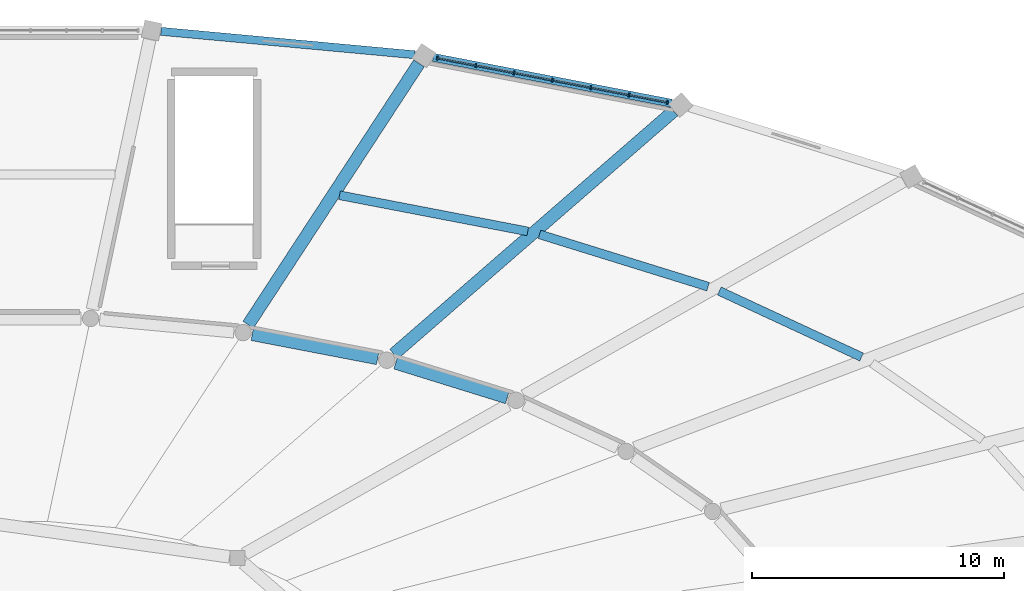
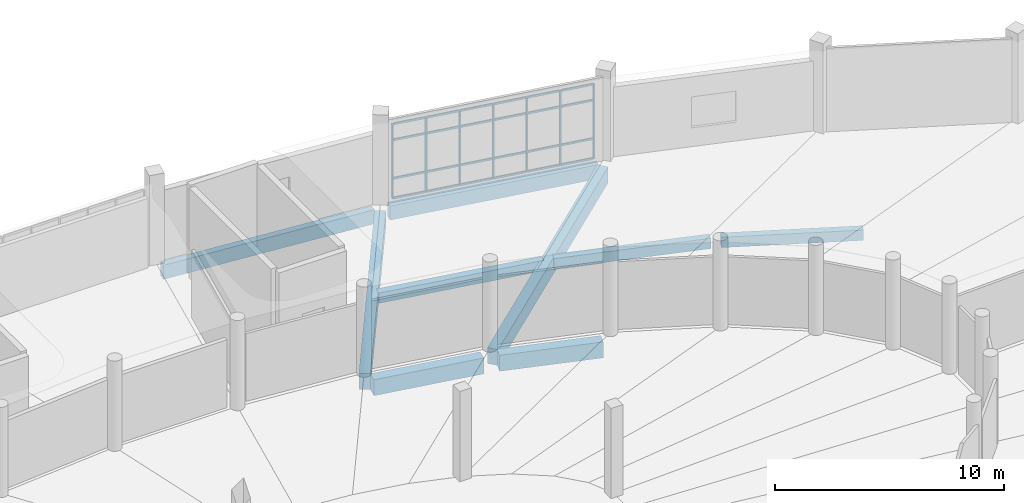
# One storey, part 82 of 179: 31 members, 9 beams, 1 element without a shape of its own.
"""IFC4 building model written with IfcOpenShell, lengths in metres."""

from ifc_helpers import new_model, si_unit, direction, frame, origin, origin_2d, place, context, subcontext, project, spatial, rectangle, extrude, material, layer, layer_set, material_profile, profile_set, type_object, element, aggregate, save


model = new_model("IFC4")

# Units and contexts
model_context = context("Model", 3, precision=1e-05, world=origin(), true_north=direction((0.0, 1.0)))
body_context = subcontext(model_context, "Body", "Model", "MODEL_VIEW")
ifc_project = project(units=[si_unit("LENGTHUNIT", "METRE"), si_unit("AREAUNIT", "SQUARE_METRE"), si_unit("VOLUMEUNIT", "CUBIC_METRE"), si_unit("PLANEANGLEUNIT", "RADIAN"), si_unit("MASSUNIT", "GRAM", prefix="KILO")], contexts=[model_context])

# Site, building, storey
site_placement = place(None, origin())
site = spatial("IfcSite", under=ifc_project, at=site_placement, CompositionType="ELEMENT")
building_placement = place(site_placement, origin())
building = spatial("IfcBuilding", under=site, at=building_placement, Name="Corvandel Quay Wholesale Market", CompositionType="ELEMENT")
storey_placement = place(building_placement, frame((0.0, 0.0, 6.0)))
storey = spatial("IfcBuildingStorey", under=building, at=storey_placement, Name="L01", CompositionType="ELEMENT", Elevation=6.0)

# Curtain wall, members
ifc_material_1 = material(Name="Bronze anodised aluminium and low-E insulated glazing", Category="aluminium")
ifc_layer = layer(ifc_material_1, 0.174072265625)
ifc_layer_set = layer_set([ifc_layer], Name="Bronze anodised aluminium and low-E insulated glazing")
curtain_wall_type = type_object("IfcCurtainWallType", Name="Stick Curtain Wall System CW12 H4080", PredefinedType="NOTDEFINED", material=ifc_layer_set)
curtain_wall_placement = place(storey_placement, origin())
curtain_wall = element("IfcCurtainWall", 1, at=curtain_wall_placement, inside=storey, type_object=curtain_wall_type, Name="Curtain Wall CW-0095", PredefinedType="NOTDEFINED")
ifc_material_2 = material(Name="Anodised aluminium 6063-T6", Category="aluminium")
ifc_material_profile_1 = material_profile(ifc_material_2, rectangle(XDim=0.06494140625, YDim=0.14990234375, at=origin_2d()), Name="ALU-MUL-65x150")
ifc_profile_set_1 = profile_set([ifc_material_profile_1], Name="Anodised aluminium 6063-T6")
member_type_1 = type_object("IfcMemberType", Name="Curtain Wall Mullion ML02 65x150", PredefinedType="MULLION", material=ifc_profile_set_1)
member_1_placement = place(storey_placement, frame((139.99560546875, 139.14306640625, 0.0), z_axis=(0.0, 0.0, 1.0), x_axis=(-0.981991701121, 0.188924055984, 0.0)))
member_1 = element("IfcMember", 2, at=member_1_placement, type_object=member_type_1, Name="Mullion CW-0095-M00", PredefinedType="MULLION", context=body_context, shape_type="SweptSolid", body=[
    extrude(rectangle(XDim=0.06494140625, YDim=0.14990234375, at=origin_2d()), origin(), (0.0, 0.0, 1.0), 3.949951171875),
])
member_2_placement = place(storey_placement, frame((138.47412109375, 139.435791015625, 0.0), z_axis=(0.0, 0.0, 1.0), x_axis=(-0.981991701121, 0.188924055984, 0.0)))
member_2 = element("IfcMember", 3, at=member_2_placement, type_object=member_type_1, Name="Mullion CW-0095-M01", PredefinedType="MULLION", context=body_context, shape_type="SweptSolid", body=[
    extrude(rectangle(XDim=0.06494140625, YDim=0.14990234375, at=origin_2d()), origin(), (0.0, 0.0, 1.0), 3.949951171875),
])
member_3_placement = place(storey_placement, frame((136.9521484375, 139.728271484375, 0.0), z_axis=(0.0, 0.0, 1.0), x_axis=(-0.981991701121, 0.188924055984, 0.0)))
member_3 = element("IfcMember", 4, at=member_3_placement, type_object=member_type_1, Name="Mullion CW-0095-M02", PredefinedType="MULLION", context=body_context, shape_type="SweptSolid", body=[
    extrude(rectangle(XDim=0.06494140625, YDim=0.14990234375, at=origin_2d()), origin(), (0.0, 0.0, 1.0), 3.949951171875),
])
member_4_placement = place(storey_placement, frame((135.430419921875, 140.02099609375, 0.0), z_axis=(0.0, 0.0, 1.0), x_axis=(-0.981991701121, 0.188924055984, 0.0)))
member_4 = element("IfcMember", 5, at=member_4_placement, type_object=member_type_1, Name="Mullion CW-0095-M03", PredefinedType="MULLION", context=body_context, shape_type="SweptSolid", body=[
    extrude(rectangle(XDim=0.06494140625, YDim=0.14990234375, at=origin_2d()), origin(), (0.0, 0.0, 1.0), 3.949951171875),
])
member_5_placement = place(storey_placement, frame((133.90869140625, 140.313720703125, 0.0), z_axis=(0.0, 0.0, 1.0), x_axis=(-0.981991701121, 0.188924055984, 0.0)))
member_5 = element("IfcMember", 6, at=member_5_placement, type_object=member_type_1, Name="Mullion CW-0095-M04", PredefinedType="MULLION", context=body_context, shape_type="SweptSolid", body=[
    extrude(rectangle(XDim=0.06494140625, YDim=0.14990234375, at=origin_2d()), origin(), (0.0, 0.0, 1.0), 3.949951171875),
])
member_6_placement = place(storey_placement, frame((132.386962890625, 140.606201171875, 0.0), z_axis=(0.0, 0.0, 1.0), x_axis=(-0.981991701121, 0.188924055984, 0.0)))
member_6 = element("IfcMember", 7, at=member_6_placement, type_object=member_type_1, Name="Mullion CW-0095-M05", PredefinedType="MULLION", context=body_context, shape_type="SweptSolid", body=[
    extrude(rectangle(XDim=0.06494140625, YDim=0.14990234375, at=origin_2d()), origin(), (0.0, 0.0, 1.0), 3.949951171875),
])
member_7_placement = place(storey_placement, frame((130.865234375, 140.89892578125, 0.0), z_axis=(0.0, 0.0, 1.0), x_axis=(-0.981991701121, 0.188924055984, 0.0)))
member_7 = element("IfcMember", 8, at=member_7_placement, type_object=member_type_1, Name="Mullion CW-0095-M06", PredefinedType="MULLION", context=body_context, shape_type="SweptSolid", body=[
    extrude(rectangle(XDim=0.06494140625, YDim=0.14990234375, at=origin_2d()), origin(), (0.0, 0.0, 1.0), 3.949951171875),
])
ifc_material_profile_2 = material_profile(ifc_material_2, rectangle(XDim=0.06005859375, YDim=0.110107421875, at=origin_2d()), Name="ALU-TRN-60x110")
ifc_profile_set_2 = profile_set([ifc_material_profile_2], Name="Anodised aluminium 6063-T6")
member_type_2 = type_object("IfcMemberType", Name="Curtain Wall Transom TR02 60x110", PredefinedType="USERDEFINED", material=ifc_profile_set_2)
member_8_placement = place(storey_placement, frame((139.9638671875, 139.149169921875, 0.0), z_axis=(-0.982020518786, 0.188774205554, 0.0), x_axis=(-0.188774205554, -0.982020518786, 0.0)))
member_8 = element("IfcMember", 9, at=member_8_placement, type_object=member_type_2, Name="Transom CW-0095-T00-0", ObjectType="TRANSOM", PredefinedType="USERDEFINED", context=body_context, shape_type="SweptSolid", body=[
    extrude(rectangle(XDim=0.06005859375, YDim=0.110107421875, at=origin_2d()), origin(), (0.0, 0.0, 1.0), 1.484619140625),
])
member_9_placement = place(storey_placement, frame((139.9638671875, 139.149169921875, 1.050048828125), z_axis=(-0.982020518786, 0.188774205554, 0.0), x_axis=(-0.188774205554, -0.982020518786, 0.0)))
member_9 = element("IfcMember", 10, at=member_9_placement, type_object=member_type_2, Name="Transom CW-0095-T00-1", ObjectType="TRANSOM", PredefinedType="USERDEFINED", context=body_context, shape_type="SweptSolid", body=[
    extrude(rectangle(XDim=0.06005859375, YDim=0.110107421875, at=origin_2d()), origin(), (0.0, 0.0, 1.0), 1.484619140625),
])
member_10_placement = place(storey_placement, frame((139.9638671875, 139.149169921875, 3.10009765625), z_axis=(-0.982020518786, 0.188774205554, 0.0), x_axis=(-0.188774205554, -0.982020518786, 0.0)))
member_10 = element("IfcMember", 11, at=member_10_placement, type_object=member_type_2, Name="Transom CW-0095-T00-2", ObjectType="TRANSOM", PredefinedType="USERDEFINED", context=body_context, shape_type="SweptSolid", body=[
    extrude(rectangle(XDim=0.06005859375, YDim=0.110107421875, at=origin_2d()), origin(), (0.0, 0.0, 1.0), 1.484619140625),
])
member_11_placement = place(storey_placement, frame((139.9638671875, 139.149169921875, 3.949951171875), z_axis=(-0.982020518786, 0.188774205554, 0.0), x_axis=(-0.188774205554, -0.982020518786, 0.0)))
member_11 = element("IfcMember", 12, at=member_11_placement, type_object=member_type_2, Name="Transom CW-0095-T00-3", ObjectType="TRANSOM", PredefinedType="USERDEFINED", context=body_context, shape_type="SweptSolid", body=[
    extrude(rectangle(XDim=0.06005859375, YDim=0.110107421875, at=origin_2d()), origin(), (0.0, 0.0, 1.0), 1.484619140625),
])
member_12_placement = place(storey_placement, frame((138.442138671875, 139.44189453125, 0.0), z_axis=(-0.982020518786, 0.188774205554, 0.0), x_axis=(-0.188774205554, -0.982020518786, 0.0)))
member_12 = element("IfcMember", 13, at=member_12_placement, type_object=member_type_2, Name="Transom CW-0095-T01-0", ObjectType="TRANSOM", PredefinedType="USERDEFINED", context=body_context, shape_type="SweptSolid", body=[
    extrude(rectangle(XDim=0.06005859375, YDim=0.110107421875, at=origin_2d()), origin(), (0.0, 0.0, 1.0), 1.484619140625),
])
member_13_placement = place(storey_placement, frame((138.442138671875, 139.44189453125, 1.050048828125), z_axis=(-0.982020518786, 0.188774205554, 0.0), x_axis=(-0.188774205554, -0.982020518786, 0.0)))
member_13 = element("IfcMember", 14, at=member_13_placement, type_object=member_type_2, Name="Transom CW-0095-T01-1", ObjectType="TRANSOM", PredefinedType="USERDEFINED", context=body_context, shape_type="SweptSolid", body=[
    extrude(rectangle(XDim=0.06005859375, YDim=0.110107421875, at=origin_2d()), origin(), (0.0, 0.0, 1.0), 1.484619140625),
])
member_14_placement = place(storey_placement, frame((138.442138671875, 139.44189453125, 3.10009765625), z_axis=(-0.982020518786, 0.188774205554, 0.0), x_axis=(-0.188774205554, -0.982020518786, 0.0)))
member_14 = element("IfcMember", 15, at=member_14_placement, type_object=member_type_2, Name="Transom CW-0095-T01-2", ObjectType="TRANSOM", PredefinedType="USERDEFINED", context=body_context, shape_type="SweptSolid", body=[
    extrude(rectangle(XDim=0.06005859375, YDim=0.110107421875, at=origin_2d()), origin(), (0.0, 0.0, 1.0), 1.484619140625),
])
member_15_placement = place(storey_placement, frame((138.442138671875, 139.44189453125, 3.949951171875), z_axis=(-0.982020518786, 0.188774205554, 0.0), x_axis=(-0.188774205554, -0.982020518786, 0.0)))
member_15 = element("IfcMember", 16, at=member_15_placement, type_object=member_type_2, Name="Transom CW-0095-T01-3", ObjectType="TRANSOM", PredefinedType="USERDEFINED", context=body_context, shape_type="SweptSolid", body=[
    extrude(rectangle(XDim=0.06005859375, YDim=0.110107421875, at=origin_2d()), origin(), (0.0, 0.0, 1.0), 1.484619140625),
])
member_16_placement = place(storey_placement, frame((136.92041015625, 139.734619140625, 0.0), z_axis=(-0.982020518786, 0.188774205554, 0.0), x_axis=(-0.188774205554, -0.982020518786, 0.0)))
member_16 = element("IfcMember", 17, at=member_16_placement, type_object=member_type_2, Name="Transom CW-0095-T02-0", ObjectType="TRANSOM", PredefinedType="USERDEFINED", context=body_context, shape_type="SweptSolid", body=[
    extrude(rectangle(XDim=0.06005859375, YDim=0.110107421875, at=origin_2d()), origin(), (0.0, 0.0, 1.0), 1.484619140625),
])
member_17_placement = place(storey_placement, frame((136.92041015625, 139.734619140625, 1.050048828125), z_axis=(-0.982020518786, 0.188774205554, 0.0), x_axis=(-0.188774205554, -0.982020518786, 0.0)))
member_17 = element("IfcMember", 18, at=member_17_placement, type_object=member_type_2, Name="Transom CW-0095-T02-1", ObjectType="TRANSOM", PredefinedType="USERDEFINED", context=body_context, shape_type="SweptSolid", body=[
    extrude(rectangle(XDim=0.06005859375, YDim=0.110107421875, at=origin_2d()), origin(), (0.0, 0.0, 1.0), 1.484619140625),
])
member_18_placement = place(storey_placement, frame((136.92041015625, 139.734619140625, 3.10009765625), z_axis=(-0.982020518786, 0.188774205554, 0.0), x_axis=(-0.188774205554, -0.982020518786, 0.0)))
member_18 = element("IfcMember", 19, at=member_18_placement, type_object=member_type_2, Name="Transom CW-0095-T02-2", ObjectType="TRANSOM", PredefinedType="USERDEFINED", context=body_context, shape_type="SweptSolid", body=[
    extrude(rectangle(XDim=0.06005859375, YDim=0.110107421875, at=origin_2d()), origin(), (0.0, 0.0, 1.0), 1.484619140625),
])
member_19_placement = place(storey_placement, frame((136.92041015625, 139.734619140625, 3.949951171875), z_axis=(-0.982020518786, 0.188774205554, 0.0), x_axis=(-0.188774205554, -0.982020518786, 0.0)))
member_19 = element("IfcMember", 20, at=member_19_placement, type_object=member_type_2, Name="Transom CW-0095-T02-3", ObjectType="TRANSOM", PredefinedType="USERDEFINED", context=body_context, shape_type="SweptSolid", body=[
    extrude(rectangle(XDim=0.06005859375, YDim=0.110107421875, at=origin_2d()), origin(), (0.0, 0.0, 1.0), 1.484619140625),
])
member_20_placement = place(storey_placement, frame((135.398681640625, 140.027099609375, 0.0), z_axis=(-0.98199002349, 0.188932775785, 0.0), x_axis=(-0.188932775785, -0.98199002349, 0.0)))
member_20 = element("IfcMember", 21, at=member_20_placement, type_object=member_type_2, Name="Transom CW-0095-T03-0", ObjectType="TRANSOM", PredefinedType="USERDEFINED", context=body_context, shape_type="SweptSolid", body=[
    extrude(rectangle(XDim=0.06005859375, YDim=0.110107421875, at=origin_2d()), origin(), (0.0, 0.0, 1.0), 1.48486328125),
])
member_21_placement = place(storey_placement, frame((135.398681640625, 140.027099609375, 1.050048828125), z_axis=(-0.98199002349, 0.188932775785, 0.0), x_axis=(-0.188932775785, -0.98199002349, 0.0)))
member_21 = element("IfcMember", 22, at=member_21_placement, type_object=member_type_2, Name="Transom CW-0095-T03-1", ObjectType="TRANSOM", PredefinedType="USERDEFINED", context=body_context, shape_type="SweptSolid", body=[
    extrude(rectangle(XDim=0.06005859375, YDim=0.110107421875, at=origin_2d()), origin(), (0.0, 0.0, 1.0), 1.48486328125),
])
member_22_placement = place(storey_placement, frame((135.398681640625, 140.027099609375, 3.10009765625), z_axis=(-0.98199002349, 0.188932775785, 0.0), x_axis=(-0.188932775785, -0.98199002349, 0.0)))
member_22 = element("IfcMember", 23, at=member_22_placement, type_object=member_type_2, Name="Transom CW-0095-T03-2", ObjectType="TRANSOM", PredefinedType="USERDEFINED", context=body_context, shape_type="SweptSolid", body=[
    extrude(rectangle(XDim=0.06005859375, YDim=0.110107421875, at=origin_2d()), origin(), (0.0, 0.0, 1.0), 1.48486328125),
])
member_23_placement = place(storey_placement, frame((135.398681640625, 140.027099609375, 3.949951171875), z_axis=(-0.98199002349, 0.188932775785, 0.0), x_axis=(-0.188932775785, -0.98199002349, 0.0)))
member_23 = element("IfcMember", 24, at=member_23_placement, type_object=member_type_2, Name="Transom CW-0095-T03-3", ObjectType="TRANSOM", PredefinedType="USERDEFINED", context=body_context, shape_type="SweptSolid", body=[
    extrude(rectangle(XDim=0.06005859375, YDim=0.110107421875, at=origin_2d()), origin(), (0.0, 0.0, 1.0), 1.48486328125),
])
member_24_placement = place(storey_placement, frame((133.876953125, 140.31982421875, 0.0), z_axis=(-0.982020518786, 0.188774205554, 0.0), x_axis=(-0.188774205554, -0.982020518786, 0.0)))
member_24 = element("IfcMember", 25, at=member_24_placement, type_object=member_type_2, Name="Transom CW-0095-T04-0", ObjectType="TRANSOM", PredefinedType="USERDEFINED", context=body_context, shape_type="SweptSolid", body=[
    extrude(rectangle(XDim=0.06005859375, YDim=0.110107421875, at=origin_2d()), origin(), (0.0, 0.0, 1.0), 1.484619140625),
])
member_25_placement = place(storey_placement, frame((133.876953125, 140.31982421875, 1.050048828125), z_axis=(-0.982020518786, 0.188774205554, 0.0), x_axis=(-0.188774205554, -0.982020518786, 0.0)))
member_25 = element("IfcMember", 26, at=member_25_placement, type_object=member_type_2, Name="Transom CW-0095-T04-1", ObjectType="TRANSOM", PredefinedType="USERDEFINED", context=body_context, shape_type="SweptSolid", body=[
    extrude(rectangle(XDim=0.06005859375, YDim=0.110107421875, at=origin_2d()), origin(), (0.0, 0.0, 1.0), 1.484619140625),
])
member_26_placement = place(storey_placement, frame((133.876953125, 140.31982421875, 3.10009765625), z_axis=(-0.982020518786, 0.188774205554, 0.0), x_axis=(-0.188774205554, -0.982020518786, 0.0)))
member_26 = element("IfcMember", 27, at=member_26_placement, type_object=member_type_2, Name="Transom CW-0095-T04-2", ObjectType="TRANSOM", PredefinedType="USERDEFINED", context=body_context, shape_type="SweptSolid", body=[
    extrude(rectangle(XDim=0.06005859375, YDim=0.110107421875, at=origin_2d()), origin(), (0.0, 0.0, 1.0), 1.484619140625),
])
member_27_placement = place(storey_placement, frame((133.876953125, 140.31982421875, 3.949951171875), z_axis=(-0.982020518786, 0.188774205554, 0.0), x_axis=(-0.188774205554, -0.982020518786, 0.0)))
member_27 = element("IfcMember", 28, at=member_27_placement, type_object=member_type_2, Name="Transom CW-0095-T04-3", ObjectType="TRANSOM", PredefinedType="USERDEFINED", context=body_context, shape_type="SweptSolid", body=[
    extrude(rectangle(XDim=0.06005859375, YDim=0.110107421875, at=origin_2d()), origin(), (0.0, 0.0, 1.0), 1.484619140625),
])
member_28_placement = place(storey_placement, frame((132.35498046875, 140.612548828125, 0.0), z_axis=(-0.982014657523, 0.188804693826, 0.0), x_axis=(-0.188804693826, -0.982014657523, 0.0)))
member_28 = element("IfcMember", 29, at=member_28_placement, type_object=member_type_2, Name="Transom CW-0095-T05-0", ObjectType="TRANSOM", PredefinedType="USERDEFINED", context=body_context, shape_type="SweptSolid", body=[
    extrude(rectangle(XDim=0.06005859375, YDim=0.110107421875, at=origin_2d()), origin(), (0.0, 0.0, 1.0), 1.484375),
])
member_29_placement = place(storey_placement, frame((132.35498046875, 140.612548828125, 1.050048828125), z_axis=(-0.982014657523, 0.188804693826, 0.0), x_axis=(-0.188804693826, -0.982014657523, 0.0)))
member_29 = element("IfcMember", 30, at=member_29_placement, type_object=member_type_2, Name="Transom CW-0095-T05-1", ObjectType="TRANSOM", PredefinedType="USERDEFINED", context=body_context, shape_type="SweptSolid", body=[
    extrude(rectangle(XDim=0.06005859375, YDim=0.110107421875, at=origin_2d()), origin(), (0.0, 0.0, 1.0), 1.484375),
])
member_30_placement = place(storey_placement, frame((132.35498046875, 140.612548828125, 3.10009765625), z_axis=(-0.982014657523, 0.188804693826, 0.0), x_axis=(-0.188804693826, -0.982014657523, 0.0)))
member_30 = element("IfcMember", 31, at=member_30_placement, type_object=member_type_2, Name="Transom CW-0095-T05-2", ObjectType="TRANSOM", PredefinedType="USERDEFINED", context=body_context, shape_type="SweptSolid", body=[
    extrude(rectangle(XDim=0.06005859375, YDim=0.110107421875, at=origin_2d()), origin(), (0.0, 0.0, 1.0), 1.484375),
])
member_31_placement = place(storey_placement, frame((132.35498046875, 140.612548828125, 3.949951171875), z_axis=(-0.982014657523, 0.188804693826, 0.0), x_axis=(-0.188804693826, -0.982014657523, 0.0)))
member_31 = element("IfcMember", 32, at=member_31_placement, type_object=member_type_2, Name="Transom CW-0095-T05-3", ObjectType="TRANSOM", PredefinedType="USERDEFINED", context=body_context, shape_type="SweptSolid", body=[
    extrude(rectangle(XDim=0.06005859375, YDim=0.110107421875, at=origin_2d()), origin(), (0.0, 0.0, 1.0), 1.484375),
])
aggregate(curtain_wall, [member_1, member_2, member_3, member_4, member_5, member_6, member_7, member_8, member_9, member_10, member_11, member_12, member_13, member_14, member_15, member_16, member_17, member_18, member_19, member_20, member_21, member_22, member_23, member_24, member_25, member_26, member_27, member_28, member_29, member_30, member_31])

# Beams
ifc_material_3 = material(Name="Precast concrete C45/55", Category="concrete")
ifc_material_profile_3 = material_profile(ifc_material_3, rectangle(XDim=0.5, YDim=0.85009765625, at=origin_2d()), Name="PC-GIR-500x850")
ifc_profile_set_3 = profile_set([ifc_material_profile_3], Name="Precast concrete C45/55")
beam_type_1 = type_object("IfcBeamType", Name="Fish Hall Radial Girder G04 500x850", PredefinedType="USERDEFINED", material=ifc_profile_set_3)
beam_1_placement = place(storey_placement, frame((133.6376953125, 127.418701171875, -0.705078125), z_axis=(-0.955068247751, 0.296385968186, 0.0), x_axis=(-0.296385968186, -0.955068247751, 0.0)))
element("IfcBeam", 33, at=beam_1_placement, inside=storey, type_object=beam_type_1, Name="Beam BM-0551", ObjectType="GIRDER", PredefinedType="USERDEFINED", context=body_context, shape_type="SweptSolid", body=[
    extrude(rectangle(XDim=0.5, YDim=0.85009765625, at=origin_2d()), origin(), (0.0, 0.0, 1.0), 4.6376953125),
])
beam_2_placement = place(storey_placement, frame((128.49169921875, 128.972900390625, -0.705078125), z_axis=(-0.982030127444, 0.188724213582, 0.0), x_axis=(-0.188724213582, -0.982030127444, 0.0)))
element("IfcBeam", 34, at=beam_2_placement, inside=storey, type_object=beam_type_1, Name="Beam BM-0558", ObjectType="GIRDER", PredefinedType="USERDEFINED", context=body_context, shape_type="SweptSolid", body=[
    extrude(rectangle(XDim=0.5, YDim=0.85009765625, at=origin_2d()), origin(), (0.0, 0.0, 1.0), 5.072265625),
])
beam_3_placement = place(storey_placement, frame((140.24658203125, 138.79833984375, -0.705078125), z_axis=(-0.754943219041, -0.655790161579, 0.0), x_axis=(0.655790161579, -0.754943219041, 0.0)))
element("IfcBeam", 35, at=beam_3_placement, inside=storey, type_object=beam_type_1, Name="Beam BM-0559", ObjectType="GIRDER", PredefinedType="USERDEFINED", context=body_context, shape_type="SweptSolid", body=[
    extrude(rectangle(XDim=0.5, YDim=0.85009765625, at=origin_2d()), origin(), (0.0, 0.0, 1.0), 14.719482421875),
])
beam_4_placement = place(storey_placement, frame((130.132568359375, 140.69140625, -0.705078125), z_axis=(-0.546980409846, -0.837145406273, 0.0), x_axis=(0.837145406273, -0.546980409846, 0.0)))
element("IfcBeam", 36, at=beam_4_placement, inside=storey, type_object=beam_type_1, Name="Beam BM-0566", ObjectType="GIRDER", PredefinedType="USERDEFINED", context=body_context, shape_type="SweptSolid", body=[
    extrude(rectangle(XDim=0.5, YDim=0.85009765625, at=origin_2d()), origin(), (0.0, 0.0, 1.0), 12.401123046875),
])
ifc_material_profile_4 = material_profile(ifc_material_3, rectangle(XDim=0.320068359375, YDim=0.75, at=origin_2d()), Name="PC-SPN-320x750")
ifc_profile_set_4 = profile_set([ifc_material_profile_4], Name="Precast concrete C45/55")
beam_type_2 = type_object("IfcBeamType", Name="Pavilion Precast Spandrel SP02 320x750", PredefinedType="SPANDREL", material=ifc_profile_set_4)
beam_5_placement = place(storey_placement, frame((140.16259765625, 139.11083984375, -0.655029296875), z_axis=(-0.982001748962, 0.188871821706, 0.0), x_axis=(-0.188871821706, -0.982001748962, 0.0)))
element("IfcBeam", 37, at=beam_5_placement, inside=storey, type_object=beam_type_2, Name="Beam BM-0557", PredefinedType="SPANDREL", context=body_context, shape_type="SweptSolid", body=[
    extrude(rectangle(XDim=0.320068359375, YDim=0.75, at=origin_2d()), origin(), (0.0, 0.0, 1.0), 9.637939453125),
])
beam_6_placement = place(storey_placement, frame((129.966552734375, 141.034912109375, -0.655029296875), z_axis=(-0.995762128, 0.091966213585, 0.0), x_axis=(-0.091966213585, -0.995762128, 0.0)))
element("IfcBeam", 38, at=beam_6_placement, inside=storey, type_object=beam_type_2, Name="Beam BM-0564", PredefinedType="SPANDREL", context=body_context, shape_type="SweptSolid", body=[
    extrude(rectangle(XDim=0.320068359375, YDim=0.75, at=origin_2d()), origin(), (0.0, 0.0, 1.0), 10.125),
])
ifc_material_profile_5 = material_profile(ifc_material_3, rectangle(XDim=0.35009765625, YDim=0.550048828125, at=origin_2d()), Name="PC-BM-350x550")
ifc_profile_set_5 = profile_set([ifc_material_profile_5], Name="Precast concrete C45/55")
beam_type_3 = type_object("IfcBeamType", Name="Standard Floor Secondary Beam B03 350x550", PredefinedType="BEAM", material=ifc_profile_set_5)
beam_7_placement = place(storey_placement, frame((147.710693359375, 129.028564453125, -0.554931640625), z_axis=(-0.906989715191, 0.421152771019, 0.0), x_axis=(-0.421152771019, -0.906989715191, 0.0)))
element("IfcBeam", 39, at=beam_7_placement, inside=storey, type_object=beam_type_3, Name="Beam BM-0546", PredefinedType="BEAM", context=body_context, shape_type="SweptSolid", body=[
    extrude(rectangle(XDim=0.35009765625, YDim=0.550048828125, at=origin_2d()), origin(), (0.0, 0.0, 1.0), 6.227783203125),
])
beam_8_placement = place(storey_placement, frame((141.615234375, 131.823486328125, -0.554931640625), z_axis=(-0.955085890654, 0.296329110067, 0.0), x_axis=(-0.296329110067, -0.955085890654, 0.0)))
element("IfcBeam", 40, at=beam_8_placement, inside=storey, type_object=beam_type_3, Name="Beam BM-0553", PredefinedType="BEAM", context=body_context, shape_type="SweptSolid", body=[
    extrude(rectangle(XDim=0.35009765625, YDim=0.550048828125, at=origin_2d()), origin(), (0.0, 0.0, 1.0), 7.010498046875),
])
beam_9_placement = place(storey_placement, frame((134.454833984375, 134.017333984375, -0.554931640625), z_axis=(-0.982014678429, 0.188804585089, 0.0), x_axis=(-0.188804585089, -0.982014678429, 0.0)))
element("IfcBeam", 41, at=beam_9_placement, inside=storey, type_object=beam_type_3, Name="Beam BM-0560", PredefinedType="BEAM", context=body_context, shape_type="SweptSolid", body=[
    extrude(rectangle(XDim=0.35009765625, YDim=0.550048828125, at=origin_2d()), origin(), (0.0, 0.0, 1.0), 7.614990234375),
])

save(model, "model.ifc")
